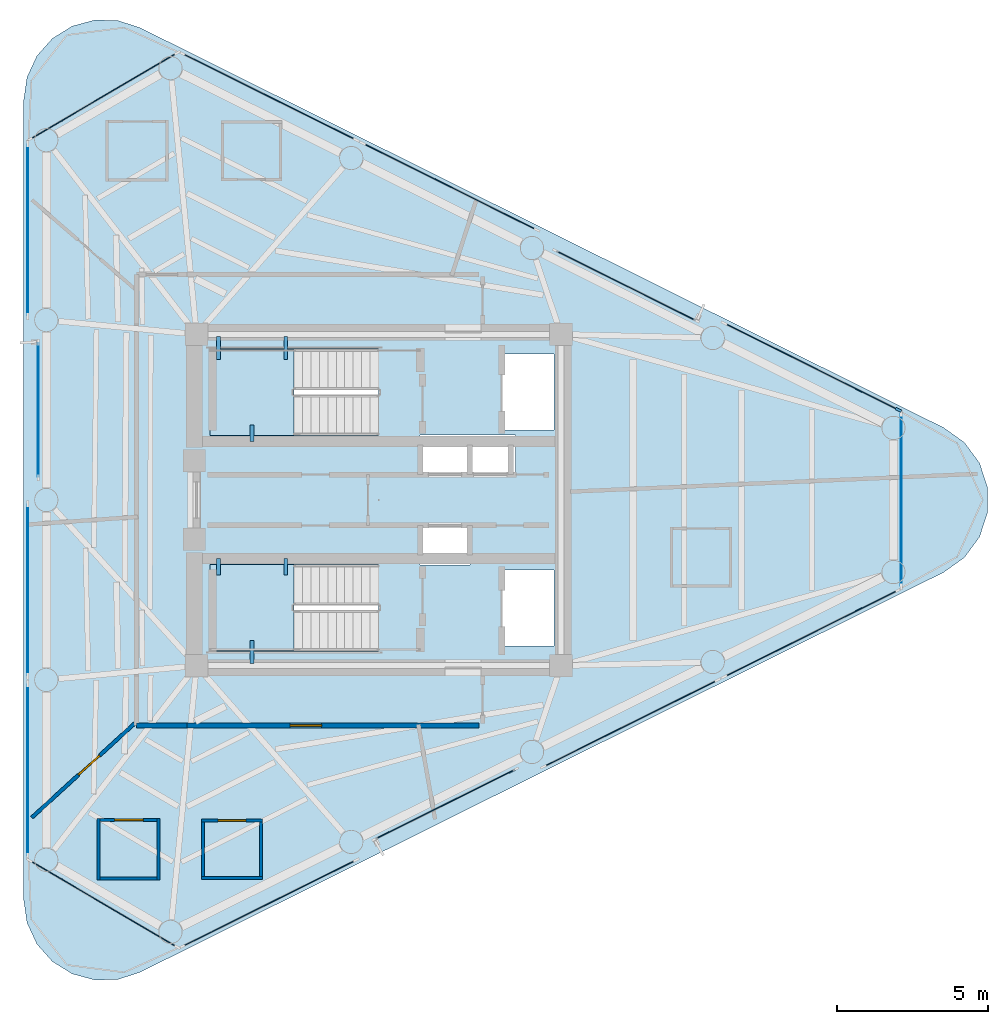
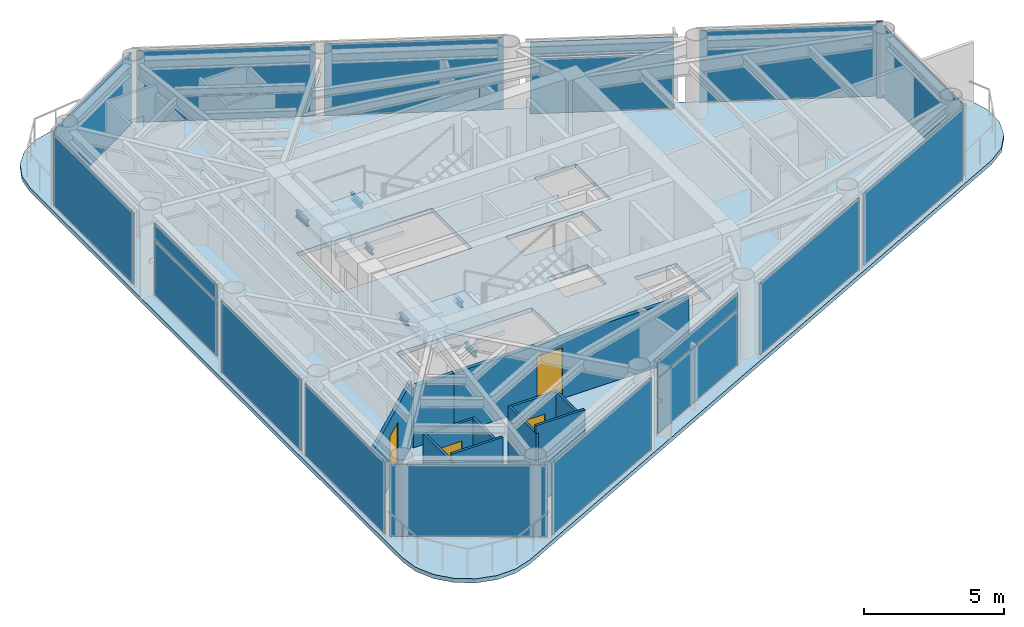
# One storey, part 4 of 10: 18 plates, 11 walls, 6 beams, 4 doors, 3 slabs, 1 member, 4 openings, 17 elements without a shape of their own.
"""IFC4 building model written with IfcOpenShell, lengths in metres."""

from ifc_helpers import new_model, si_unit, direction, frame, frame_2d, origin, origin_2d, place, context, subcontext, project, spatial, polyline, rectangle, i_section, outline, extrude, source, transform, mapped, material, layer, layer_set, material_profile, profile_set, type_object, element, fill, aggregate, save


model = new_model("IFC4")

# Units and contexts
model_context = context("Model", 3, precision=1e-05, world=origin(), true_north=direction((0.0, 1.0)))
body_context = subcontext(model_context, "Body", "Model", "MODEL_VIEW")
ifc_project = project(units=[si_unit("LENGTHUNIT", "METRE"), si_unit("AREAUNIT", "SQUARE_METRE"), si_unit("VOLUMEUNIT", "CUBIC_METRE"), si_unit("PLANEANGLEUNIT", "RADIAN"), si_unit("MASSUNIT", "GRAM", prefix="KILO")], contexts=[model_context])

# Site, building, storey
site_placement = place(None, origin())
site = spatial("IfcSite", under=ifc_project, at=site_placement, CompositionType="ELEMENT")
building_placement = place(site_placement, origin())
building = spatial("IfcBuilding", under=site, at=building_placement, Name="Yunling Apex Tower", CompositionType="ELEMENT")
storey_placement = place(building_placement, frame((0.0, 0.0, 303.64990234375)))
storey = spatial("IfcBuildingStorey", under=building, at=storey_placement, Name="L74", CompositionType="ELEMENT", Elevation=303.64990234375)

# Beams
ifc_material_1 = material(Name="Steel Q355B", Category="steel")
ifc_material_profile_1 = material_profile(ifc_material_1, i_section(OverallWidth=0.125, OverallDepth=0.25, WebThickness=0.006103515625, FlangeThickness=0.009033203125, FilletRadius=0.011962890625, at=origin_2d()))
ifc_profile_set_1 = profile_set([ifc_material_profile_1], Name="Steel Q355B")
beam_type = type_object("IfcBeamType", Name="BL-LNT-1", PredefinedType="LINTEL", material=ifc_profile_set_1)
shared_shape_1 = source(origin(), body_context, "Body", "SweptSolid", [
    extrude(i_section(OverallWidth=0.125, OverallDepth=0.25, WebThickness=0.006103515625, FlangeThickness=0.009033203125, FilletRadius=0.011962890625, at=origin_2d()), origin(), (0.0, 0.0, 1.0), 0.760009765625),
])
for number, where, z_axis, x_axis, name in (
    (1, (-5.320068359375, 5.419921875, 1.405029296875), (0.0, -1.0, 0.0), (1.0, 0.0, 0.0), "L74 ST-1 Landing Bearing Corbel 1-1"),
    (2, (-3.090087890625, 5.419921875, 1.405029296875), (0.0, -1.0, 0.0), (1.0, 0.0, 0.0), "L74 ST-1 Landing Bearing Corbel 1-2"),
    (3, (-4.205078125, -5.419921875, 1.405029296875), (0.0, 1.0, 0.0), (-1.0, 0.0, 0.0), "L74 ST-2 Landing Bearing Corbel 1-3"),
):
    element("IfcBeam", number, at=place(storey_placement, frame(where, z_axis=z_axis, x_axis=x_axis)), inside=storey, type_object=beam_type, Name=name, PredefinedType="LINTEL", context=body_context, shape_type="MappedRepresentation", body=[
        mapped(shared_shape_1, transform((0.0, 0.0, 0.0), scale=1.0)),
    ])
shared_shape_2 = source(origin(), body_context, "Body", "SweptSolid", [
    extrude(i_section(OverallWidth=0.125, OverallDepth=0.25, WebThickness=0.006103515625, FlangeThickness=0.009033203125, FilletRadius=0.011962890625, at=origin_2d()), origin(), (0.0, 0.0, 1.0), 0.550048828125),
])
for number, where, z_axis, x_axis, name in (
    (4, (-4.205078125, 1.93994140625, 1.405029296875), (0.0, 1.0, 0.0), (-1.0, 0.0, 0.0), "L74 ST-1 Landing Bearing Corbel 1-3"),
    (5, (-5.320068359375, -1.93994140625, 1.405029296875), (0.0, -1.0, 0.0), (1.0, 0.0, 0.0), "L74 ST-2 Landing Bearing Corbel 1-1"),
    (6, (-3.090087890625, -1.93994140625, 1.405029296875), (0.0, -1.0, 0.0), (1.0, 0.0, 0.0), "L74 ST-2 Landing Bearing Corbel 1-2"),
):
    element("IfcBeam", number, at=place(storey_placement, frame(where, z_axis=z_axis, x_axis=x_axis)), inside=storey, type_object=beam_type, Name=name, PredefinedType="LINTEL", context=body_context, shape_type="MappedRepresentation", body=[
        mapped(shared_shape_2, transform((0.0, 0.0, 0.0), scale=1.0)),
    ])

# Curtain wall, member
ifc_material_2 = material(Name="Bronze anodised aluminium", Category="aluminium")
ifc_layer_1 = layer(ifc_material_2, 0.219970703125)
ifc_layer_set_1 = layer_set([ifc_layer_1], Name="Bronze anodised aluminium")
curtain_wall_type = type_object("IfcCurtainWallType", Name="CW-SYS-4", PredefinedType="NOTDEFINED", material=ifc_layer_set_1)
curtain_wall_1_placement = place(storey_placement, origin())
curtain_wall_1 = element("IfcCurtainWall", 7, at=curtain_wall_1_placement, inside=storey, type_object=curtain_wall_type, Name="CW-L74-F2-B1", PredefinedType="NOTDEFINED")
ifc_material_profile_2 = material_profile(ifc_material_2, rectangle(XDim=0.080078125, YDim=0.219970703125, at=origin_2d()))
ifc_profile_set_2 = profile_set([ifc_material_profile_2], Name="Bronze anodised aluminium")
member_type = type_object("IfcMemberType", Name="CW-MUL-4", PredefinedType="MULLION", material=ifc_profile_set_2)
shared_shape_3 = source(origin(), body_context, "Body", "SweptSolid", [
    extrude(rectangle(XDim=0.080078125, YDim=0.219970703125, at=origin_2d()), origin(), (0.0, 0.0, 1.0), 3.369873046875),
])
member_placement = place(storey_placement, frame((17.2509765625, 2.990966796875, -0.0498046875), z_axis=(0.0, 0.0, 1.0), x_axis=(-0.445568135078, -0.895248030996, 0.0)))
member = element("IfcMember", 8, at=member_placement, type_object=member_type, Name="CW-SYS-4 mullion 1", PredefinedType="MULLION", context=body_context, shape_type="MappedRepresentation", body=[
    mapped(shared_shape_3, transform((0.0, 0.0, 0.0), scale=1.0)),
])

# Slab
ifc_material_3 = material(Name="Concrete C40", Category="concrete")
ifc_layer_2 = layer(ifc_material_3, 0.155029296875)
ifc_layer_set_2 = layer_set([ifc_layer_2], Name="Concrete C40")
slab_type_1 = type_object("IfcSlabType", Name="SL-FLR-3", PredefinedType="FLOOR", material=ifc_layer_set_2)
slab_1_placement = place(storey_placement, frame((0.0, 0.0, -0.179931640625)))
element("IfcSlab", 9, at=slab_1_placement, inside=storey, type_object=slab_type_1, Name="L74 Composite Tower Floor Slab", PredefinedType="FLOOR", context=body_context, shape_type="SweptSolid", body=[
    extrude(outline(polyline([(-11.787353515625, -13.2724609375), (-11.675048828125, -14.039794921875), (-11.347900390625, -14.742919921875), (-10.833251953125, -15.322998046875), (-10.173828125, -15.731201171875), (-9.42529296875, -15.93359375), (-8.650146484375, -15.913330078125), (-7.9130859375, -15.671875), (18.754150390625, -2.3994140625), (19.442138671875, -1.90771484375), (19.94287109375, -1.226318359375), (20.206298828125, -0.4228515625), (20.206298828125, 0.4228515625), (19.94287109375, 1.226318359375), (19.442138671875, 1.90771484375), (18.754150390625, 2.3994140625), (-7.9130859375, 15.671875), (-8.650146484375, 15.913330078125), (-9.42529296875, 15.93359375), (-10.173828125, 15.731201171875), (-10.833251953125, 15.322998046875), (-11.347900390625, 14.742919921875), (-11.675048828125, 14.039794921875), (-11.787353515625, 13.2724609375), (-11.787353515625, -13.2724609375)]), holes=[polyline([(4.090087890625, 4.840087890625), (5.81005859375, 4.840087890625), (5.81005859375, 2.320068359375), (4.090087890625, 2.320068359375), (4.090087890625, 4.840087890625)]), polyline([(4.090087890625, -4.840087890625), (4.090087890625, -2.320068359375), (5.81005859375, -2.320068359375), (5.81005859375, -4.840087890625), (4.090087890625, -4.840087890625)]), polyline([(4.534912109375, 0.794921875), (1.364990234375, 0.794921875), (1.364990234375, 2.1650390625), (4.534912109375, 2.1650390625), (4.534912109375, 0.794921875)]), polyline([(1.364990234375, -0.794921875), (3.034912109375, -0.794921875), (3.034912109375, -2.1650390625), (1.364990234375, -2.1650390625), (1.364990234375, -0.794921875)]), polyline([(-0.010009765625, -5.010009765625), (-5.60009765625, -5.010009765625), (-5.60009765625, -2.139892578125), (-0.010009765625, -2.139892578125), (-0.010009765625, -5.010009765625)]), polyline([(-0.010009765625, 2.139892578125), (-5.60009765625, 2.139892578125), (-5.60009765625, 5.010009765625), (-0.010009765625, 5.010009765625), (-0.010009765625, 2.139892578125)])]), origin(), (0.0, 0.0, 1.0), 0.179931640625),
])

# Stair, slab
stair_type = type_object("IfcStairType", Name="ST-TWR-3", PredefinedType="HALF_TURN_STAIR", material=ifc_material_3)
stair_1_placement = place(storey_placement, origin())
stair_1 = element("IfcStair", 10, at=stair_1_placement, inside=storey, type_object=stair_type, Name="L74 North Core Smokeproof Exit Stair ST-1", PredefinedType="HALF_TURN_STAIR")
ifc_layer_3 = layer(ifc_material_3, 0.195068359375)
ifc_layer_set_3 = layer_set([ifc_layer_3], Name="Concrete C40")
slab_type_2 = type_object("IfcSlabType", Name="SL-LND-1", PredefinedType="LANDING", material=ifc_layer_set_3)
slab_2_placement = place(storey_placement, frame((0.0, 0.0, 1.530029296875)))
slab_2 = element("IfcSlab", 11, at=slab_2_placement, type_object=slab_type_2, Name="ST-1 landing 1", PredefinedType="LANDING", context=body_context, shape_type="SweptSolid", body=[
    extrude(outline(polyline([(-2.81005859375, 5.010009765625), (-5.60009765625, 5.010009765625), (-5.60009765625, 2.139892578125), (-2.81005859375, 2.139892578125), (-2.81005859375, 5.010009765625)])), origin(), (0.0, 0.0, 1.0), 0.195068359375),
])
aggregate(stair_1, [slab_2])

stair_2_placement = place(storey_placement, origin())
stair_2 = element("IfcStair", 12, at=stair_2_placement, inside=storey, type_object=stair_type, Name="L74 South Core Smokeproof Exit Stair ST-2", PredefinedType="HALF_TURN_STAIR")
slab_3_placement = place(storey_placement, frame((0.0, 0.0, 1.530029296875)))
slab_3 = element("IfcSlab", 13, at=slab_3_placement, type_object=slab_type_2, Name="ST-2 landing 1", PredefinedType="LANDING", context=body_context, shape_type="SweptSolid", body=[
    extrude(outline(polyline([(-2.81005859375, -2.139892578125), (-5.60009765625, -2.139892578125), (-5.60009765625, -5.010009765625), (-2.81005859375, -5.010009765625), (-2.81005859375, -2.139892578125)])), origin(), (0.0, 0.0, 1.0), 0.195068359375),
])
aggregate(stair_2, [slab_3])

# Curtain wall, plate
curtain_wall_2_placement = place(storey_placement, origin())
curtain_wall_2 = element("IfcCurtainWall", 14, at=curtain_wall_2_placement, inside=storey, type_object=curtain_wall_type, Name="CW-L74-F1-B1", PredefinedType="NOTDEFINED")
ifc_material_4 = material(Name="Bronze tinted low-E glass", Category="glass")
ifc_layer_4 = layer(ifc_material_4, 0.030029296875)
ifc_layer_set_4 = layer_set([ifc_layer_4], Name="Bronze tinted low-E glass")
plate_type = type_object("IfcPlateType", Name="CW-PNL-4", PredefinedType="CURTAIN_PANEL", material=ifc_layer_set_4)
shared_shape_4 = source(origin(), body_context, "Body", "SweptSolid", [
    extrude(rectangle(XDim=6.398193359375, YDim=0.030029296875, at=origin_2d()), origin(), (0.0, 0.0, 1.0), 3.1259765625),
])
plate_1_placement = place(storey_placement, frame((-3.64208984375, -13.3896484375, 0.072021484375), z_axis=(0.0, 0.0, 1.0), x_axis=(0.895248030996, 0.445568135078, 0.0)))
plate_1 = element("IfcPlate", 15, at=plate_1_placement, type_object=plate_type, Name="CW-SYS-4 panel 1.1", PredefinedType="CURTAIN_PANEL", context=body_context, shape_type="MappedRepresentation", body=[
    mapped(shared_shape_4, transform((0.0, 0.0, 0.0), scale=1.0)),
])
aggregate(curtain_wall_2, [plate_1])

curtain_wall_3_placement = place(storey_placement, origin())
curtain_wall_3 = element("IfcCurtainWall", 16, at=curtain_wall_3_placement, inside=storey, type_object=curtain_wall_type, Name="CW-L74-F1-B3", PredefinedType="NOTDEFINED")
plate_2_placement = place(storey_placement, frame((8.358154296875, -7.4169921875, 0.072021484375), z_axis=(0.0, 0.0, 1.0), x_axis=(0.895241933715, 0.445580385698, 0.0)))
plate_2 = element("IfcPlate", 17, at=plate_2_placement, type_object=plate_type, Name="CW-SYS-4 panel 1.1", PredefinedType="CURTAIN_PANEL", context=body_context, shape_type="MappedRepresentation", body=[
    mapped(shared_shape_4, transform((0.0, 0.0, 0.0), scale=1.0)),
])
aggregate(curtain_wall_3, [plate_2])

curtain_wall_4_placement = place(storey_placement, origin())
curtain_wall_4 = element("IfcCurtainWall", 18, at=curtain_wall_4_placement, inside=storey, type_object=curtain_wall_type, Name="CW-L74-F1-B4", PredefinedType="NOTDEFINED")
plate_3_placement = place(storey_placement, frame((14.358154296875, -4.4306640625, 0.072021484375), z_axis=(0.0, 0.0, 1.0), x_axis=(0.895248030996, 0.445568135078, 0.0)))
plate_3 = element("IfcPlate", 19, at=plate_3_placement, type_object=plate_type, Name="CW-SYS-4 panel 1.1", PredefinedType="CURTAIN_PANEL", context=body_context, shape_type="MappedRepresentation", body=[
    mapped(shared_shape_4, transform((0.0, 0.0, 0.0), scale=1.0)),
])
aggregate(curtain_wall_4, [plate_3])

# Plate
plate_4_placement = place(storey_placement, frame((14.358154296875, 4.4306640625, 0.072021484375), z_axis=(0.0, 0.0, 1.0), x_axis=(-0.895248030996, 0.445568135078, 0.0)))
plate_4 = element("IfcPlate", 20, at=plate_4_placement, type_object=plate_type, Name="CW-SYS-4 panel 1.1", PredefinedType="CURTAIN_PANEL", context=body_context, shape_type="MappedRepresentation", body=[
    mapped(shared_shape_4, transform((0.0, 0.0, 0.0), scale=1.0)),
])

aggregate(curtain_wall_1, [member, plate_4])

# Curtain wall, plate
curtain_wall_5_placement = place(storey_placement, origin())
curtain_wall_5 = element("IfcCurtainWall", 21, at=curtain_wall_5_placement, inside=storey, type_object=curtain_wall_type, Name="CW-L74-F2-B3", PredefinedType="NOTDEFINED")
plate_5_placement = place(storey_placement, frame((2.35791015625, 10.4033203125, 0.072021484375), z_axis=(0.0, 0.0, 1.0), x_axis=(-0.895251065549, 0.445562037917, 0.0)))
plate_5 = element("IfcPlate", 22, at=plate_5_placement, type_object=plate_type, Name="CW-SYS-4 panel 1.1", PredefinedType="CURTAIN_PANEL", context=body_context, shape_type="MappedRepresentation", body=[
    mapped(shared_shape_4, transform((0.0, 0.0, 0.0), scale=1.0)),
])
aggregate(curtain_wall_5, [plate_5])

curtain_wall_6_placement = place(storey_placement, origin())
curtain_wall_6 = element("IfcCurtainWall", 23, at=curtain_wall_6_placement, inside=storey, type_object=curtain_wall_type, Name="CW-L74-F2-B4", PredefinedType="NOTDEFINED")
plate_6_placement = place(storey_placement, frame((-3.64208984375, 13.3896484375, 0.072021484375), z_axis=(0.0, 0.0, 1.0), x_axis=(-0.895248030996, 0.445568135078, 0.0)))
plate_6 = element("IfcPlate", 24, at=plate_6_placement, type_object=plate_type, Name="CW-SYS-4 panel 1.1", PredefinedType="CURTAIN_PANEL", context=body_context, shape_type="MappedRepresentation", body=[
    mapped(shared_shape_4, transform((0.0, 0.0, 0.0), scale=1.0)),
])
aggregate(curtain_wall_6, [plate_6])

curtain_wall_7_placement = place(storey_placement, origin())
curtain_wall_7 = element("IfcCurtainWall", 25, at=curtain_wall_7_placement, inside=storey, type_object=curtain_wall_type, Name="CW-L74-F1-B2", PredefinedType="NOTDEFINED")
shared_shape_5 = source(origin(), body_context, "Body", "SweptSolid", [
    extrude(rectangle(XDim=5.158203125, YDim=0.030029296875, at=origin_2d()), origin(), (0.0, 0.0, 1.0), 2.381103515625),
])
plate_7_placement = place(storey_placement, frame((2.20654296875, -10.09912109375, 0.072265625), z_axis=(0.0, 0.0, 1.0), x_axis=(0.895251720611, 0.445560721723, 0.0)))
plate_7 = element("IfcPlate", 26, at=plate_7_placement, type_object=plate_type, Name="CW-SYS-4 panel 1.1", PredefinedType="CURTAIN_PANEL", context=body_context, shape_type="MappedRepresentation", body=[
    mapped(shared_shape_5, transform((0.0, 0.0, 0.0), scale=1.0)),
])

curtain_wall_8_placement = place(storey_placement, origin())
curtain_wall_8 = element("IfcCurtainWall", 27, at=curtain_wall_8_placement, inside=storey, type_object=curtain_wall_type, Name="CW-L74-F2-B2", PredefinedType="NOTDEFINED")
plate_8_placement = place(storey_placement, frame((8.206787109375, 7.11279296875, 0.072265625), z_axis=(0.0, 0.0, 1.0), x_axis=(-0.895240453185, 0.445583360305, 0.0)))
plate_8 = element("IfcPlate", 28, at=plate_8_placement, type_object=plate_type, Name="CW-SYS-4 panel 1.1", PredefinedType="CURTAIN_PANEL", context=body_context, shape_type="MappedRepresentation", body=[
    mapped(shared_shape_5, transform((0.0, 0.0, 0.0), scale=1.0)),
])

# Plate
shared_shape_6 = source(origin(), body_context, "Body", "SweptSolid", [
    extrude(rectangle(XDim=5.158203125, YDim=0.030029296875, at=origin_2d()), origin(), (0.0, 0.0, 1.0), 0.680908203125),
])
plate_9_placement = place(storey_placement, frame((2.20654296875, -10.09912109375, 2.51708984375), z_axis=(0.0, 0.0, 1.0), x_axis=(0.895251720611, 0.445560721723, 0.0)))
plate_9 = element("IfcPlate", 29, at=plate_9_placement, type_object=plate_type, Name="CW-SYS-4 panel 1.2", PredefinedType="CURTAIN_PANEL", context=body_context, shape_type="MappedRepresentation", body=[
    mapped(shared_shape_6, transform((0.0, 0.0, 0.0), scale=1.0)),
])

aggregate(curtain_wall_7, [plate_7, plate_9])

plate_10_placement = place(storey_placement, frame((8.206787109375, 7.11279296875, 2.51708984375), z_axis=(0.0, 0.0, 1.0), x_axis=(-0.895240453185, 0.445583360305, 0.0)))
plate_10 = element("IfcPlate", 30, at=plate_10_placement, type_object=plate_type, Name="CW-SYS-4 panel 1.2", PredefinedType="CURTAIN_PANEL", context=body_context, shape_type="MappedRepresentation", body=[
    mapped(shared_shape_6, transform((0.0, 0.0, 0.0), scale=1.0)),
])

aggregate(curtain_wall_8, [plate_8, plate_10])

# Curtain wall, plate
curtain_wall_9_placement = place(storey_placement, origin())
curtain_wall_9 = element("IfcCurtainWall", 31, at=curtain_wall_9_placement, inside=storey, type_object=curtain_wall_type, Name="CW-L74-CRN1", PredefinedType="NOTDEFINED")
shared_shape_7 = source(origin(), body_context, "Body", "SweptSolid", [
    extrude(rectangle(XDim=5.6953125, YDim=0.030029296875, at=origin_2d()), origin(), (0.0, 0.0, 1.0), 3.1259765625),
])
plate_11_placement = place(storey_placement, frame((17.349365234375, 0.0, 0.072021484375), z_axis=(0.0, 0.0, 1.0), x_axis=(0.0, 1.0, 0.0)))
plate_11 = element("IfcPlate", 32, at=plate_11_placement, type_object=plate_type, Name="CW-SYS-4 panel 1.1", PredefinedType="CURTAIN_PANEL", context=body_context, shape_type="MappedRepresentation", body=[
    mapped(shared_shape_7, transform((0.0, 0.0, 0.0), scale=1.0)),
])
aggregate(curtain_wall_9, [plate_11])

curtain_wall_10_placement = place(storey_placement, origin())
curtain_wall_10 = element("IfcCurtainWall", 33, at=curtain_wall_10_placement, inside=storey, type_object=curtain_wall_type, Name="CW-L74-CRN2", PredefinedType="NOTDEFINED")
shared_shape_8 = source(origin(), body_context, "Body", "SweptSolid", [
    extrude(rectangle(XDim=5.62548828125, YDim=0.030029296875, at=origin_2d()), origin(), (0.0, 0.0, 1.0), 3.1259765625),
])
plate_12_placement = place(storey_placement, frame((-9.13916015625, 13.405029296875, 0.072021484375), z_axis=(0.0, 0.0, 1.0), x_axis=(-0.862499991399, -0.506057076658, 0.0)))
plate_12 = element("IfcPlate", 34, at=plate_12_placement, type_object=plate_type, Name="CW-SYS-4 panel 1.1", PredefinedType="CURTAIN_PANEL", context=body_context, shape_type="MappedRepresentation", body=[
    mapped(shared_shape_8, transform((0.0, 0.0, 0.0), scale=1.0)),
])
aggregate(curtain_wall_10, [plate_12])

curtain_wall_11_placement = place(storey_placement, origin())
curtain_wall_11 = element("IfcCurtainWall", 35, at=curtain_wall_11_placement, inside=storey, type_object=curtain_wall_type, Name="CW-L74-CRN3", PredefinedType="NOTDEFINED")
plate_13_placement = place(storey_placement, frame((-9.13916015625, -13.405029296875, 0.072021484375), z_axis=(0.0, 0.0, 1.0), x_axis=(0.862492426173, -0.506069970256, 0.0)))
plate_13 = element("IfcPlate", 36, at=plate_13_placement, type_object=plate_type, Name="CW-SYS-4 panel 1.1", PredefinedType="CURTAIN_PANEL", context=body_context, shape_type="MappedRepresentation", body=[
    mapped(shared_shape_8, transform((0.0, 0.0, 0.0), scale=1.0)),
])
aggregate(curtain_wall_11, [plate_13])

curtain_wall_12_placement = place(storey_placement, origin())
curtain_wall_12 = element("IfcCurtainWall", 37, at=curtain_wall_12_placement, inside=storey, type_object=curtain_wall_type, Name="CW-L74-F3-B1", PredefinedType="NOTDEFINED")
shared_shape_9 = source(origin(), body_context, "Body", "SweptSolid", [
    extrude(rectangle(XDim=5.668701171875, YDim=0.030029296875, at=origin_2d()), origin(), (0.0, 0.0, 1.0), 3.1259765625),
])
plate_14_placement = place(storey_placement, frame((-11.647216796875, 8.958984375, 0.072021484375), z_axis=(0.0, 0.0, 1.0), x_axis=(0.0, -1.0, 0.0)))
plate_14 = element("IfcPlate", 38, at=plate_14_placement, type_object=plate_type, Name="CW-SYS-4 panel 1.1", PredefinedType="CURTAIN_PANEL", context=body_context, shape_type="MappedRepresentation", body=[
    mapped(shared_shape_9, transform((0.0, 0.0, 0.0), scale=1.0)),
])
aggregate(curtain_wall_12, [plate_14])

curtain_wall_13_placement = place(storey_placement, origin())
curtain_wall_13 = element("IfcCurtainWall", 39, at=curtain_wall_13_placement, inside=storey, type_object=curtain_wall_type, Name="CW-L74-F3-B3", PredefinedType="NOTDEFINED")
plate_15_placement = place(storey_placement, frame((-11.647216796875, -2.986328125, 0.072021484375), z_axis=(0.0, 0.0, 1.0), x_axis=(0.0, -1.0, 0.0)))
plate_15 = element("IfcPlate", 40, at=plate_15_placement, type_object=plate_type, Name="CW-SYS-4 panel 1.1", PredefinedType="CURTAIN_PANEL", context=body_context, shape_type="MappedRepresentation", body=[
    mapped(shared_shape_9, transform((0.0, 0.0, 0.0), scale=1.0)),
])
aggregate(curtain_wall_13, [plate_15])

curtain_wall_14_placement = place(storey_placement, origin())
curtain_wall_14 = element("IfcCurtainWall", 41, at=curtain_wall_14_placement, inside=storey, type_object=curtain_wall_type, Name="CW-L74-F3-B4", PredefinedType="NOTDEFINED")
plate_16_placement = place(storey_placement, frame((-11.647216796875, -8.958984375, 0.072021484375), z_axis=(0.0, 0.0, 1.0), x_axis=(0.0, -1.0, 0.0)))
plate_16 = element("IfcPlate", 42, at=plate_16_placement, type_object=plate_type, Name="CW-SYS-4 panel 1.1", PredefinedType="CURTAIN_PANEL", context=body_context, shape_type="MappedRepresentation", body=[
    mapped(shared_shape_9, transform((0.0, 0.0, 0.0), scale=1.0)),
])
aggregate(curtain_wall_14, [plate_16])

# Curtain wall, plates
curtain_wall_15_placement = place(storey_placement, origin())
curtain_wall_15 = element("IfcCurtainWall", 43, at=curtain_wall_15_placement, inside=storey, type_object=curtain_wall_type, Name="CW-L74-F3-B2", PredefinedType="NOTDEFINED")
shared_shape_10 = source(origin(), body_context, "Body", "SweptSolid", [
    extrude(rectangle(XDim=4.4287109375, YDim=0.030029296875, at=origin_2d()), origin(), (0.0, 0.0, 1.0), 2.381103515625),
])
plate_17_placement = place(storey_placement, frame((-11.307373046875, 2.986328125, 0.072265625), z_axis=(0.0, 0.0, 1.0), x_axis=(0.0, -1.0, 0.0)))
plate_17 = element("IfcPlate", 44, at=plate_17_placement, type_object=plate_type, Name="CW-SYS-4 panel 1.1", PredefinedType="CURTAIN_PANEL", context=body_context, shape_type="MappedRepresentation", body=[
    mapped(shared_shape_10, transform((0.0, 0.0, 0.0), scale=1.0)),
])
shared_shape_11 = source(origin(), body_context, "Body", "SweptSolid", [
    extrude(rectangle(XDim=4.4287109375, YDim=0.030029296875, at=origin_2d()), origin(), (0.0, 0.0, 1.0), 0.680908203125),
])
plate_18_placement = place(storey_placement, frame((-11.307373046875, 2.986328125, 2.51708984375), z_axis=(0.0, 0.0, 1.0), x_axis=(0.0, -1.0, 0.0)))
plate_18 = element("IfcPlate", 45, at=plate_18_placement, type_object=plate_type, Name="CW-SYS-4 panel 1.2", PredefinedType="CURTAIN_PANEL", context=body_context, shape_type="MappedRepresentation", body=[
    mapped(shared_shape_11, transform((0.0, 0.0, 0.0), scale=1.0)),
])
aggregate(curtain_wall_15, [plate_17, plate_18])

# Wall, opening, door
ifc_material_5 = material(Name="Gypsum board acoustic partition")
ifc_layer_5 = layer(ifc_material_5, 0.159912109375)
ifc_layer_set_5 = layer_set([ifc_layer_5], Name="Gypsum board acoustic partition")
wall_type_1 = type_object("IfcWallType", Name="WL-PRT-1", PredefinedType="PARTITIONING", material=ifc_layer_set_5)
wall_1_placement = place(storey_placement, frame((3.319091796875, -7.489990234375, 0.0), z_axis=(0.0, 0.0, 1.0), x_axis=(-1.0, 0.0, 0.0)))
wall_1 = element("IfcWall", 46, at=wall_1_placement, inside=storey, type_object=wall_type_1, Name="WL-CORR-L74-06", PredefinedType="PARTITIONING", context=body_context, shape_type="SweptSolid", body=[
    extrude(rectangle(XDim=9.67919921875, YDim=0.159912109375, at=frame_2d((4.839599609375, 0.0))), origin(), (0.0, 0.0, 1.0), 2.655029296875),
])
opening_1_placement = place(wall_1_placement, frame((5.213134765625, 0.0, 0.0)))
opening_1 = element("IfcOpeningElement", 47, at=opening_1_placement, cuts=wall_1, Name="Opening DR-FL-1", PredefinedType="OPENING", context=body_context, shape_type="SweptSolid", body=[
    extrude(rectangle(XDim=1.050048828125, YDim=2.199951171875, at=frame_2d((0.52490234375, 1.10009765625))), frame((0.0, 0.08984375, 0.0), z_axis=(0.0, -1.0, 0.0), x_axis=(1.0, 0.0, 0.0)), (0.0, 0.0, 1.0), 0.179931640625),
])
ifc_material_6 = material(Name="Timber fire-rated leaf", Category="wood")
door_type_1 = type_object("IfcDoorType", Name="DR-FL-1", OperationType="NOTDEFINED", PredefinedType="DOOR", material=ifc_material_6)
door_1_placement = place(opening_1_placement, origin())
door_1 = element("IfcDoor", 48, at=door_1_placement, inside=storey, type_object=door_type_1, Name="L74 Unit 1 Entrance Door", OperationType="SINGLE_SWING_RIGHT", OverallHeight=2.199951171875, OverallWidth=1.050048828125, PredefinedType="DOOR", context=body_context, shape_type="SweptSolid", body=[
    extrude(rectangle(XDim=1.050048828125, YDim=2.199951171875, at=frame_2d((0.52490234375, 1.10009765625))), frame((0.0, 0.02490234375, 0.0), z_axis=(0.0, -1.0, 0.0), x_axis=(1.0, 0.0, 0.0)), (0.0, 0.0, 1.0), 0.050048828125),
])
fill(opening_1, door_1)

# Wall
wall_2_placement = place(storey_placement, frame((-6.360107421875, -7.489990234375, 0.0), z_axis=(0.0, 0.0, 1.0), x_axis=(-1.0, 0.0, 0.0)))
element("IfcWall", 49, at=wall_2_placement, inside=storey, type_object=wall_type_1, Name="WL-CORR-L74-07", PredefinedType="PARTITIONING", context=body_context, shape_type="SweptSolid", body=[
    extrude(rectangle(XDim=1.679931640625, YDim=0.159912109375, at=frame_2d((0.83984375, 0.0))), origin(), (0.0, 0.0, 1.0), 2.655029296875),
])

# Wall, opening, door
ifc_layer_6 = layer(ifc_material_5, 0.1201171875)
ifc_layer_set_6 = layer_set([ifc_layer_6], Name="Gypsum board acoustic partition")
wall_type_2 = type_object("IfcWallType", Name="WL-PRT-3", PredefinedType="PARTITIONING", material=ifc_layer_set_6)
wall_3_placement = place(storey_placement, frame((-8.070068359375, -7.38623046875, 0.0), z_axis=(0.0, 0.0, 1.0), x_axis=(-0.737657036201, -0.675175604523, 0.0)))
wall_3 = element("IfcWall", 50, at=wall_3_placement, inside=storey, type_object=wall_type_2, Name="WL-BED-L74-1", PredefinedType="PARTITIONING", context=body_context, shape_type="SweptSolid", body=[
    extrude(rectangle(XDim=4.67333984375, YDim=0.1201171875, at=frame_2d((2.336669921875, 0.0))), origin(), (0.0, 0.0, 1.0), 2.815185546875),
])
opening_2_placement = place(wall_3_placement, frame((1.623046875, 0.0, 0.0)))
opening_2 = element("IfcOpeningElement", 51, at=opening_2_placement, cuts=wall_3, Name="Opening DR-RM-1", PredefinedType="OPENING", context=body_context, shape_type="SweptSolid", body=[
    extrude(rectangle(XDim=0.949951171875, YDim=2.10009765625, at=frame_2d((0.47509765625, 1.050048828125))), frame((0.0, 0.070068359375, 0.0), z_axis=(0.0, -1.0, 0.0), x_axis=(1.0, 0.0, 0.0)), (0.0, 0.0, 1.0), 0.14013671875),
])
ifc_material_7 = material(Name="Timber flush leaf", Category="wood")
door_type_2 = type_object("IfcDoorType", Name="DR-RM-1", OperationType="NOTDEFINED", PredefinedType="DOOR", material=ifc_material_7)
door_2_placement = place(opening_2_placement, origin())
door_2 = element("IfcDoor", 52, at=door_2_placement, inside=storey, type_object=door_type_2, Name="L74 Unit 1 Bedroom Door", OperationType="SINGLE_SWING_RIGHT", OverallHeight=2.10009765625, OverallWidth=0.949951171875, PredefinedType="DOOR", context=body_context, shape_type="SweptSolid", body=[
    extrude(rectangle(XDim=0.949951171875, YDim=2.10009765625, at=frame_2d((0.47509765625, 1.050048828125))), frame((0.0, 0.02490234375, 0.0), z_axis=(0.0, -1.0, 0.0), x_axis=(1.0, 0.0, 0.0)), (0.0, 0.0, 1.0), 0.050048828125),
])
fill(opening_2, door_2)

ifc_layer_7 = layer(ifc_material_5, 0.10009765625)
ifc_layer_set_7 = layer_set([ifc_layer_7], Name="Gypsum board acoustic partition")
wall_type_3 = type_object("IfcWallType", Name="WL-PRT-4", PredefinedType="PARTITIONING", material=ifc_layer_set_7)
wall_4_placement = place(storey_placement, frame((-5.885009765625, -10.639892578125, 0.0), z_axis=(0.0, 0.0, 1.0), x_axis=(1.0, 0.0, 0.0)))
wall_4 = element("IfcWall", 53, at=wall_4_placement, inside=storey, type_object=wall_type_3, Name="WL-L74-U1BTHN", PredefinedType="PARTITIONING", context=body_context, shape_type="SweptSolid", body=[
    extrude(rectangle(XDim=2.02001953125, YDim=0.10009765625, at=frame_2d((1.010009765625, 0.0))), origin(), (0.0, 0.0, 1.0), 2.905029296875),
])
opening_3_placement = place(wall_4_placement, frame((0.550048828125, 0.0, 0.0)))
opening_3 = element("IfcOpeningElement", 54, at=opening_3_placement, cuts=wall_4, Name="Opening DR-WC-1", PredefinedType="OPENING", context=body_context, shape_type="SweptSolid", body=[
    extrude(rectangle(XDim=0.919921875, YDim=2.10009765625, at=frame_2d((0.4599609375, 1.050048828125))), frame((0.0, 0.06005859375, 0.0), z_axis=(0.0, -1.0, 0.0), x_axis=(1.0, 0.0, 0.0)), (0.0, 0.0, 1.0), 0.1201171875),
])
ifc_material_8 = material(Name="Timber moisture-resistant leaf", Category="wood")
door_type_3 = type_object("IfcDoorType", Name="DR-WC-1", OperationType="NOTDEFINED", PredefinedType="DOOR", material=ifc_material_8)
door_3_placement = place(opening_3_placement, origin())
door_3 = element("IfcDoor", 55, at=door_3_placement, inside=storey, type_object=door_type_3, Name="L74 Unit 1 Bathroom Door", OperationType="SINGLE_SWING_LEFT", OverallHeight=2.10009765625, OverallWidth=0.919921875, PredefinedType="DOOR", context=body_context, shape_type="SweptSolid", body=[
    extrude(rectangle(XDim=0.919921875, YDim=2.10009765625, at=frame_2d((0.4599609375, 1.050048828125))), frame((0.0, 0.02490234375, 0.0), z_axis=(0.0, -1.0, 0.0), x_axis=(1.0, 0.0, 0.0)), (0.0, 0.0, 1.0), 0.050048828125),
])
fill(opening_3, door_3)

# Walls
wall_5_placement = place(storey_placement, frame((-3.864990234375, -12.5400390625, 0.0), z_axis=(0.0, 0.0, 1.0), x_axis=(-1.0, 0.0, 0.0)))
element("IfcWall", 56, at=wall_5_placement, inside=storey, type_object=wall_type_3, Name="WL-L74-U1BTHS", PredefinedType="PARTITIONING", context=body_context, shape_type="SweptSolid", body=[
    extrude(rectangle(XDim=2.02001953125, YDim=0.10009765625, at=frame_2d((1.010009765625, 0.0))), origin(), (0.0, 0.0, 1.0), 3.25),
])
for number, where, z_axis, x_axis, name in (
    (57, (-3.9150390625, -10.590087890625, 0.0), (0.0, 0.0, 1.0), (0.0, -1.0, 0.0), "WL-L74-U1BTHE"),
    (58, (-5.8349609375, -12.590087890625, 0.0), (0.0, 0.0, 1.0), (0.0, 1.0, 0.0), "WL-L74-U1BTHW"),
):
    element("IfcWall", number, at=place(storey_placement, frame(where, z_axis=z_axis, x_axis=x_axis)), inside=storey, type_object=wall_type_3, Name=name, PredefinedType="PARTITIONING", context=body_context, shape_type="SweptSolid", body=[
        extrude(rectangle(XDim=2.0, YDim=0.10009765625, at=frame_2d((1.0, 0.0))), origin(), (0.0, 0.0, 1.0), 2.905029296875),
    ])

# Wall, opening, door
wall_6_placement = place(storey_placement, frame((-9.35888671875, -10.614990234375, 0.0), z_axis=(0.0, 0.0, 1.0), x_axis=(1.0, 0.0, 0.0)))
wall_6 = element("IfcWall", 59, at=wall_6_placement, inside=storey, type_object=wall_type_3, Name="WL-L74-U1KITN", PredefinedType="PARTITIONING", context=body_context, shape_type="SweptSolid", body=[
    extrude(rectangle(XDim=2.099853515625, YDim=0.10009765625, at=frame_2d((1.0498046875, 0.0))), origin(), (0.0, 0.0, 1.0), 2.905029296875),
])
opening_4_placement = place(wall_6_placement, frame((0.590087890625, 0.0, 0.0)))
opening_4 = element("IfcOpeningElement", 60, at=opening_4_placement, cuts=wall_6, Name="Opening DR-RM-1", PredefinedType="OPENING", context=body_context, shape_type="SweptSolid", body=[
    extrude(rectangle(XDim=0.949951171875, YDim=2.10009765625, at=frame_2d((0.47509765625, 1.050048828125))), frame((0.0, 0.06005859375, 0.0), z_axis=(0.0, -1.0, 0.0), x_axis=(1.0, 0.0, 0.0)), (0.0, 0.0, 1.0), 0.1201171875),
])
door_4_placement = place(opening_4_placement, origin())
door_4 = element("IfcDoor", 61, at=door_4_placement, inside=storey, type_object=door_type_2, Name="L74 Unit 1 Kitchen Door", OperationType="SINGLE_SWING_RIGHT", OverallHeight=2.10009765625, OverallWidth=0.949951171875, PredefinedType="DOOR", context=body_context, shape_type="SweptSolid", body=[
    extrude(rectangle(XDim=0.949951171875, YDim=2.10009765625, at=frame_2d((0.47509765625, 1.050048828125))), frame((0.0, 0.02490234375, 0.0), z_axis=(0.0, -1.0, 0.0), x_axis=(1.0, 0.0, 0.0)), (0.0, 0.0, 1.0), 0.050048828125),
])
fill(opening_4, door_4)

# Walls
wall_7_placement = place(storey_placement, frame((-7.259033203125, -12.56494140625, 0.0), z_axis=(0.0, 0.0, 1.0), x_axis=(-1.0, 0.0, 0.0)))
element("IfcWall", 62, at=wall_7_placement, inside=storey, type_object=wall_type_3, Name="WL-L74-U1KITS", PredefinedType="PARTITIONING", context=body_context, shape_type="SweptSolid", body=[
    extrude(rectangle(XDim=2.099853515625, YDim=0.10009765625, at=frame_2d((1.0498046875, 0.0))), origin(), (0.0, 0.0, 1.0), 3.25),
])
for number, where, z_axis, x_axis, name in (
    (63, (-7.30908203125, -10.56494140625, 0.0), (0.0, 0.0, 1.0), (0.0, -1.0, 0.0), "WL-L74-U1KITE"),
    (64, (-9.30908203125, -12.614990234375, 0.0), (0.0, 0.0, 1.0), (0.0, 1.0, 0.0), "WL-L74-U1KITW"),
):
    element("IfcWall", number, at=place(storey_placement, frame(where, z_axis=z_axis, x_axis=x_axis)), inside=storey, type_object=wall_type_3, Name=name, PredefinedType="PARTITIONING", context=body_context, shape_type="SweptSolid", body=[
        extrude(rectangle(XDim=2.050048828125, YDim=0.10009765625, at=frame_2d((1.02490234375, 0.0))), origin(), (0.0, 0.0, 1.0), 2.905029296875),
    ])

save(model, "model.ifc")
